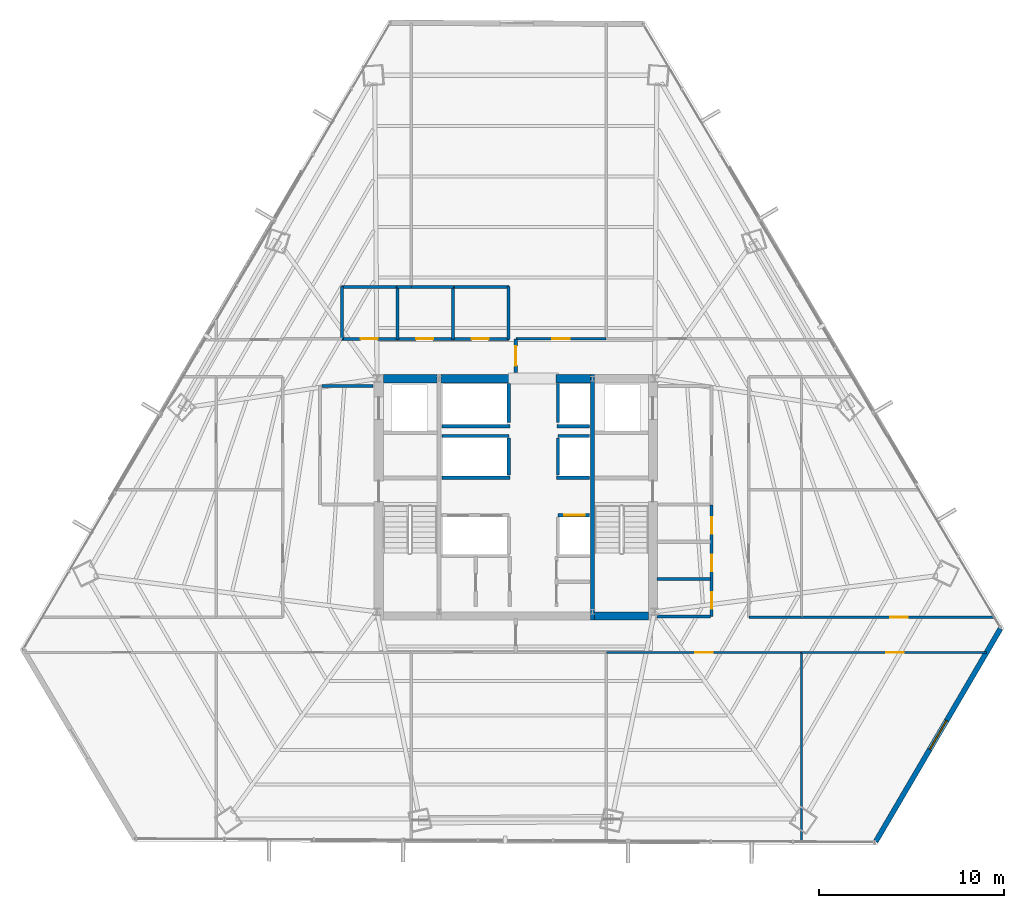
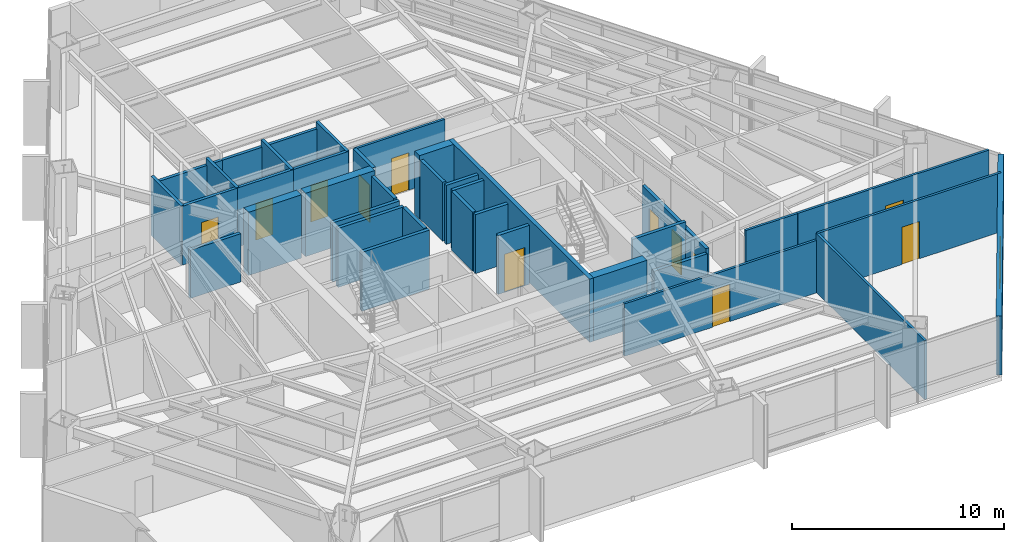
# One storey, part 31 of 35: 39 walls, 12 doors, 1 window, 13 openings.
"""IFC4 building model written with IfcOpenShell, lengths in metres."""

from ifc_helpers import new_model, si_unit, direction, frame, frame_2d, origin, place, context, subcontext, project, spatial, rectangle, extrude, material, layer, layer_set, type_object, element, fill, save


model = new_model("IFC4")

# Units and contexts
model_context = context("Model", 3, precision=1e-05, world=origin(), true_north=direction((0.0, 1.0)))
body_context = subcontext(model_context, "Body", "Model", "MODEL_VIEW")
ifc_project = project(units=[si_unit("LENGTHUNIT", "METRE"), si_unit("AREAUNIT", "SQUARE_METRE"), si_unit("VOLUMEUNIT", "CUBIC_METRE"), si_unit("PLANEANGLEUNIT", "RADIAN"), si_unit("MASSUNIT", "GRAM", prefix="KILO")], contexts=[model_context])

# Site, building, storey
site_placement = place(None, origin())
site = spatial("IfcSite", under=ifc_project, at=site_placement, CompositionType="ELEMENT")
building_placement = place(site_placement, origin())
building = spatial("IfcBuilding", under=site, at=building_placement, Name="Caelisora Broadcast Tower", CompositionType="ELEMENT")
storey_placement = place(building_placement, frame((0.0, 0.0, 94.449951171875)))
storey = spatial("IfcBuildingStorey", under=building, at=storey_placement, Name="L24", CompositionType="ELEMENT", Elevation=94.449951171875)

# Walls
ifc_material_1 = material(Name="Concrete 50 MPa (AS 3600 S50)", Category="concrete")
ifc_layer_1 = layer(ifc_material_1, 0.449951171875, Name="Concrete 50 MPa (AS 3600 S50)")
ifc_layer_set_1 = layer_set([ifc_layer_1], Name="Concrete 50 MPa (AS 3600 S50)")
wall_type_1 = type_object("IfcWallType", Name="CW5", PredefinedType="SHEAR", material=ifc_layer_set_1)
for number, where, z_axis, x_axis, name in (
    (1, (42.260009765625, 17.175048828125, 0.0), (0.0, 0.0, 1.0), (1.0, 0.0, 0.0), "L24 core shear wall CW5"),
    (2, (30.840087890625, 30.0, 0.0), (0.0, 0.0, 1.0), (1.0, 0.0, 0.0), "L24 core shear wall CW5"),
):
    element("IfcWall", number, at=place(storey_placement, frame(where, z_axis=z_axis, x_axis=x_axis)), inside=storey, type_object=wall_type_1, Name=name, PredefinedType="SHEAR", context=body_context, shape_type="SweptSolid", body=[
        extrude(rectangle(XDim=2.89990234375, YDim=0.449951171875, at=frame_2d((1.449951171875, 0.0))), origin(), (0.0, 0.0, 1.0), 3.650146484375),
    ])
wall_1_placement = place(storey_placement, frame((33.9599609375, 30.0, 0.0), z_axis=(0.0, 0.0, 1.0), x_axis=(1.0, 0.0, 0.0)))
element("IfcWall", 3, at=wall_1_placement, inside=storey, type_object=wall_type_1, Name="L24 core shear wall CW5", PredefinedType="SHEAR", context=body_context, shape_type="SweptSolid", body=[
    extrude(rectangle(XDim=3.780029296875, YDim=0.449951171875, at=frame_2d((1.89013671875, 0.0))), origin(), (0.0, 0.0, 1.0), 3.650146484375),
])
wall_2_placement = place(storey_placement, frame((40.159912109375, 30.0, 0.0), z_axis=(0.0, 0.0, 1.0), x_axis=(1.0, 0.0, 0.0)))
element("IfcWall", 4, at=wall_2_placement, inside=storey, type_object=wall_type_1, Name="L24 core shear wall CW5", PredefinedType="SHEAR", context=body_context, shape_type="SweptSolid", body=[
    extrude(rectangle(XDim=1.880126953125, YDim=0.449951171875, at=frame_2d((0.93994140625, 0.0))), origin(), (0.0, 0.0, 1.0), 3.650146484375),
])
ifc_layer_2 = layer(ifc_material_1, 0.219970703125, Name="Concrete 50 MPa (AS 3600 S50)")
ifc_layer_set_2 = layer_set([ifc_layer_2], Name="Concrete 50 MPa (AS 3600 S50)")
wall_type_2 = type_object("IfcWallType", Name="CW7", PredefinedType="SHEAR", material=ifc_layer_set_2)
wall_3_placement = place(storey_placement, frame((42.14990234375, 16.949951171875, 0.0), z_axis=(0.0, 0.0, 1.0), x_axis=(0.0, 1.0, 0.0)))
element("IfcWall", 5, at=wall_3_placement, inside=storey, type_object=wall_type_2, Name="L24 core shear wall CW7", PredefinedType="SHEAR", context=body_context, shape_type="SweptSolid", body=[
    extrude(rectangle(XDim=13.275146484375, YDim=0.219970703125, at=frame_2d((6.6376953125, 0.0))), origin(), (0.0, 0.0, 1.0), 3.650146484375),
])

# Wall, opening, window
ifc_material_2 = material(Name="Insulated Terracotta Spandrel Wall System", Category="masonry")
ifc_layer_3 = layer(ifc_material_2, 0.280029296875, Name="Insulated Terracotta Spandrel Wall System")
ifc_layer_set_3 = layer_set([ifc_layer_3], Name="Insulated Terracotta Spandrel Wall System")
wall_type_3 = type_object("IfcWallType", Name="EW1", PredefinedType="STANDARD", material=ifc_layer_set_3)
wall_4_placement = place(storey_placement, frame((64.19580078125, 16.494140625, 0.0), z_axis=(0.0, 0.0, 1.0), x_axis=(-0.505437750935, -0.862863071367, 0.0)))
wall_4 = element("IfcWall", 6, at=wall_4_placement, inside=storey, type_object=wall_type_3, Name="L24 exterior envelope wall EW1", PredefinedType="STANDARD", context=body_context, shape_type="SweptSolid", body=[
    extrude(rectangle(XDim=13.34423828125, YDim=0.280029296875, at=frame_2d((6.672119140625, 0.0))), origin(), (0.0, 0.0, 1.0), 3.400146484375),
])
opening_1_placement = place(wall_4_placement, frame((5.77001953125, 0.0, 0.89990234375)))
opening_1 = element("IfcOpeningElement", 7, at=opening_1_placement, cuts=wall_4, Name="Opening W01", PredefinedType="OPENING", context=body_context, shape_type="SweptSolid", body=[
    extrude(rectangle(XDim=1.800048828125, YDim=1.800048828125, at=frame_2d((0.89990234375, 0.89990234375))), frame((0.0, 0.152099609375, 0.0), z_axis=(0.0, -1.0, 0.0), x_axis=(1.0, 0.0, 0.0)), (0.0, 0.0, 1.0), 0.303955078125),
])
ifc_material_3 = material(Name="Double Glazed Terracotta-Framed Vision Window", Category="glass")
window_type = type_object("IfcWindowType", Name="W01", PartitioningType="SINGLE_PANEL", PredefinedType="WINDOW", material=ifc_material_3)
window_placement = place(opening_1_placement, origin())
window = element("IfcWindow", 8, at=window_placement, inside=storey, type_object=window_type, Name="L24 window W01 (L24-WN-CH0)", OverallHeight=1.800048828125, OverallWidth=1.800048828125, PartitioningType="SINGLE_PANEL", PredefinedType="WINDOW", context=body_context, shape_type="SweptSolid", body=[
    extrude(rectangle(XDim=1.800048828125, YDim=1.800048828125, at=frame_2d((0.89990234375, 0.89990234375))), frame((0.0, 0.030029296875, 0.0), z_axis=(0.0, -1.0, 0.0), x_axis=(1.0, 0.0, 0.0)), (0.0, 0.0, 1.0), 0.06005859375),
])
fill(opening_1, window)

# Wall, opening, door
ifc_material_4 = material(Name="Fire-Rated Gypsum Shaft and Compartment Wall", Category="gypsum")
ifc_layer_4 = layer(ifc_material_4, 0.179931640625, Name="Fire-Rated Gypsum Shaft and Compartment Wall")
ifc_layer_set_4 = layer_set([ifc_layer_4], Name="Fire-Rated Gypsum Shaft and Compartment Wall")
wall_type_4 = type_object("IfcWallType", Name="PW2", PredefinedType="PARTITIONING", material=ifc_layer_set_4)
wall_5_placement = place(storey_placement, frame((40.280029296875, 22.6201171875, 0.0), z_axis=(0.0, 0.0, 1.0), x_axis=(1.0, 0.0, 0.0)))
wall_5 = element("IfcWall", 9, at=wall_5_placement, inside=storey, type_object=wall_type_4, Name="L24 fire compartment wall PW2", PredefinedType="PARTITIONING", context=body_context, shape_type="SweptSolid", body=[
    extrude(rectangle(XDim=1.699951171875, YDim=0.179931640625, at=frame_2d((0.85009765625, 0.0))), origin(), (0.0, 0.0, 1.0), 3.400146484375),
])
opening_2_placement = place(wall_5_placement, frame((0.35009765625, 0.0, 0.0)))
opening_2 = element("IfcOpeningElement", 10, at=opening_2_placement, cuts=wall_5, Name="Opening LD01", PredefinedType="OPENING", context=body_context, shape_type="SweptSolid", body=[
    extrude(rectangle(XDim=1.10009765625, YDim=2.199951171875, at=frame_2d((0.550048828125, 1.10009765625))), frame((0.0, 0.10205078125, 0.0), z_axis=(0.0, -1.0, 0.0), x_axis=(1.0, 0.0, 0.0)), (0.0, 0.0, 1.0), 0.203857421875),
])
ifc_material_5 = material(Name="Stainless Steel Centre-Parting Lift Landing Door", Category="steel")
door_type_1 = type_object("IfcDoorType", Name="LD01", OperationType="NOTDEFINED", PredefinedType="DOOR", material=ifc_material_5)
door_1_placement = place(opening_2_placement, origin())
door_1 = element("IfcDoor", 11, at=door_1_placement, inside=storey, type_object=door_type_1, Name="L24 door LD01 (L24-LD-PLL3)", OperationType="SLIDING_TO_LEFT", OverallHeight=2.199951171875, OverallWidth=1.10009765625, PredefinedType="DOOR", context=body_context, shape_type="SweptSolid", body=[
    extrude(rectangle(XDim=1.10009765625, YDim=2.199951171875, at=frame_2d((0.550048828125, 1.10009765625))), frame((0.0, 0.02490234375, 0.0), z_axis=(0.0, -1.0, 0.0), x_axis=(1.0, 0.0, 0.0)), (0.0, 0.0, 1.0), 0.050048828125),
])
fill(opening_2, door_1)

# Walls
wall_6_placement = place(storey_placement, frame((34.02001953125, 26.89990234375, 0.0), z_axis=(0.0, 0.0, 1.0), x_axis=(1.0, 0.0, 0.0)))
element("IfcWall", 12, at=wall_6_placement, inside=storey, type_object=wall_type_4, Name="L24 fire compartment wall PW2", PredefinedType="PARTITIONING", context=body_context, shape_type="SweptSolid", body=[
    extrude(rectangle(XDim=3.60009765625, YDim=0.179931640625, at=frame_2d((1.800048828125, 0.0))), origin(), (0.0, 0.0, 1.0), 3.400146484375),
])
wall_7_placement = place(storey_placement, frame((40.280029296875, 26.89990234375, 0.0), z_axis=(0.0, 0.0, 1.0), x_axis=(1.0, 0.0, 0.0)))
element("IfcWall", 13, at=wall_7_placement, inside=storey, type_object=wall_type_4, Name="L24 fire compartment wall PW2", PredefinedType="PARTITIONING", context=body_context, shape_type="SweptSolid", body=[
    extrude(rectangle(XDim=1.699951171875, YDim=0.179931640625, at=frame_2d((0.85009765625, 0.0))), origin(), (0.0, 0.0, 1.0), 3.400146484375),
])
for number, where, z_axis, x_axis, name in (
    (14, (37.6201171875, 24.800048828125, 0.0), (0.0, 0.0, 1.0), (0.0, 1.0, 0.0), "L24 fire compartment wall PW2"),
    (15, (40.280029296875, 24.800048828125, 0.0), (0.0, 0.0, 1.0), (0.0, 1.0, 0.0), "L24 fire compartment wall PW2"),
):
    element("IfcWall", number, at=place(storey_placement, frame(where, z_axis=z_axis, x_axis=x_axis)), inside=storey, type_object=wall_type_4, Name=name, PredefinedType="PARTITIONING", context=body_context, shape_type="SweptSolid", body=[
        extrude(rectangle(XDim=2.0, YDim=0.179931640625, at=frame_2d((1.0, 0.0))), origin(), (0.0, 0.0, 1.0), 3.400146484375),
    ])
wall_8_placement = place(storey_placement, frame((34.02001953125, 24.639892578125, 0.0), z_axis=(0.0, 0.0, 1.0), x_axis=(1.0, 0.0, 0.0)))
element("IfcWall", 16, at=wall_8_placement, inside=storey, type_object=wall_type_4, Name="L24 fire compartment wall PW2", PredefinedType="PARTITIONING", context=body_context, shape_type="SweptSolid", body=[
    extrude(rectangle(XDim=3.679931640625, YDim=0.179931640625, at=frame_2d((1.83984375, 0.0))), origin(), (0.0, 0.0, 1.0), 3.400146484375),
])
wall_9_placement = place(storey_placement, frame((40.199951171875, 24.639892578125, 0.0), z_axis=(0.0, 0.0, 1.0), x_axis=(1.0, 0.0, 0.0)))
element("IfcWall", 17, at=wall_9_placement, inside=storey, type_object=wall_type_4, Name="L24 fire compartment wall PW2", PredefinedType="PARTITIONING", context=body_context, shape_type="SweptSolid", body=[
    extrude(rectangle(XDim=1.780029296875, YDim=0.179931640625, at=frame_2d((0.89013671875, 0.0))), origin(), (0.0, 0.0, 1.0), 3.400146484375),
])
wall_10_placement = place(storey_placement, frame((34.02001953125, 27.419921875, 0.0), z_axis=(0.0, 0.0, 1.0), x_axis=(1.0, 0.0, 0.0)))
element("IfcWall", 18, at=wall_10_placement, inside=storey, type_object=wall_type_4, Name="L24 fire compartment wall PW2", PredefinedType="PARTITIONING", context=body_context, shape_type="SweptSolid", body=[
    extrude(rectangle(XDim=3.659912109375, YDim=0.179931640625, at=frame_2d((1.830078125, 0.0))), origin(), (0.0, 0.0, 1.0), 3.400146484375),
])
wall_11_placement = place(storey_placement, frame((40.219970703125, 27.419921875, 0.0), z_axis=(0.0, 0.0, 1.0), x_axis=(1.0, 0.0, 0.0)))
element("IfcWall", 19, at=wall_11_placement, inside=storey, type_object=wall_type_4, Name="L24 fire compartment wall PW2", PredefinedType="PARTITIONING", context=body_context, shape_type="SweptSolid", body=[
    extrude(rectangle(XDim=1.760009765625, YDim=0.179931640625, at=frame_2d((0.8798828125, 0.0))), origin(), (0.0, 0.0, 1.0), 3.400146484375),
])
for number, where, z_axis, x_axis, name in (
    (20, (37.6201171875, 27.639892578125, 0.0), (0.0, 0.0, 1.0), (0.0, 1.0, 0.0), "L24 fire compartment wall PW2"),
    (21, (40.280029296875, 27.639892578125, 0.0), (0.0, 0.0, 1.0), (0.0, 1.0, 0.0), "L24 fire compartment wall PW2"),
):
    element("IfcWall", number, at=place(storey_placement, frame(where, z_axis=z_axis, x_axis=x_axis)), inside=storey, type_object=wall_type_4, Name=name, PredefinedType="PARTITIONING", context=body_context, shape_type="SweptSolid", body=[
        extrude(rectangle(XDim=2.110107421875, YDim=0.179931640625, at=frame_2d((1.05517578125, 0.0))), origin(), (0.0, 0.0, 1.0), 3.400146484375),
    ])
wall_12_placement = place(storey_placement, frame((27.52001953125, 29.60009765625, 0.0), z_axis=(0.0, 0.0, 1.0), x_axis=(1.0, 0.0, 0.0)))
element("IfcWall", 22, at=wall_12_placement, inside=storey, type_object=wall_type_4, Name="L24 fire compartment wall PW2", PredefinedType="PARTITIONING", context=body_context, shape_type="SweptSolid", body=[
    extrude(rectangle(XDim=2.760009765625, YDim=0.179931640625, at=frame_2d((1.3798828125, 0.0))), origin(), (0.0, 0.0, 1.0), 2.782958984375),
])
wall_13_placement = place(storey_placement, frame((45.6201171875, 19.169921875, 0.0), z_axis=(0.0, 0.0, 1.0), x_axis=(1.0, 0.0, 0.0)))
element("IfcWall", 23, at=wall_13_placement, inside=storey, type_object=wall_type_4, Name="L24 fire compartment wall PW2", PredefinedType="PARTITIONING", context=body_context, shape_type="SweptSolid", body=[
    extrude(rectangle(XDim=2.89990234375, YDim=0.179931640625, at=frame_2d((1.449951171875, 0.0))), origin(), (0.0, 0.0, 1.0), 3.400146484375),
])

# Wall, openings, doors
wall_14_placement = place(storey_placement, frame((48.580078125, 17.14990234375, 0.0), z_axis=(0.0, 0.0, 1.0), x_axis=(0.0, 1.0, 0.0)))
wall_14 = element("IfcWall", 24, at=wall_14_placement, inside=storey, type_object=wall_type_4, Name="L24 fire compartment wall PW2", PredefinedType="PARTITIONING", context=body_context, shape_type="SweptSolid", body=[
    extrude(rectangle(XDim=6.030029296875, YDim=0.179931640625, at=frame_2d((3.01513671875, 0.0))), origin(), (0.0, 0.0, 1.0), 3.0263671875),
])
opening_3_placement = place(wall_14_placement, frame((0.419921875, 0.0, 0.0)))
opening_3 = element("IfcOpeningElement", 25, at=opening_3_placement, cuts=wall_14, Name="Opening FD03", PredefinedType="OPENING", context=body_context, shape_type="SweptSolid", body=[
    extrude(rectangle(XDim=0.89990234375, YDim=2.10009765625, at=frame_2d((0.449951171875, 1.050048828125))), frame((0.0, 0.10205078125, 0.0), z_axis=(0.0, -1.0, 0.0), x_axis=(1.0, 0.0, 0.0)), (0.0, 0.0, 1.0), 0.203857421875),
])
opening_4_placement = place(wall_14_placement, frame((2.43994140625, 0.0, 0.0)))
opening_4 = element("IfcOpeningElement", 26, at=opening_4_placement, cuts=wall_14, Name="Opening FD03", PredefinedType="OPENING", context=body_context, shape_type="SweptSolid", body=[
    extrude(rectangle(XDim=0.89990234375, YDim=2.10009765625, at=frame_2d((0.449951171875, 1.050048828125))), frame((0.0, 0.10205078125, 0.0), z_axis=(0.0, -1.0, 0.0), x_axis=(1.0, 0.0, 0.0)), (0.0, 0.0, 1.0), 0.203857421875),
])
opening_5_placement = place(wall_14_placement, frame((4.4599609375, 0.0, 0.0)))
opening_5 = element("IfcOpeningElement", 27, at=opening_5_placement, cuts=wall_14, Name="Opening FD03", PredefinedType="OPENING", context=body_context, shape_type="SweptSolid", body=[
    extrude(rectangle(XDim=0.89990234375, YDim=2.10009765625, at=frame_2d((0.449951171875, 1.050048828125))), frame((0.0, 0.10205078125, 0.0), z_axis=(0.0, -1.0, 0.0), x_axis=(1.0, 0.0, 0.0)), (0.0, 0.0, 1.0), 0.203857421875),
])
ifc_material_6 = material(Name="Single-Leaf Steel Riser Fire Access Door", Category="steel")
door_type_2 = type_object("IfcDoorType", Name="FD03", OperationType="NOTDEFINED", PredefinedType="DOOR", material=ifc_material_6)
door_2_placement = place(opening_3_placement, origin())
door_2 = element("IfcDoor", 28, at=door_2_placement, inside=storey, type_object=door_type_2, Name="L24 door FD03 (L24-DR-P17D1)", OperationType="SINGLE_SWING_RIGHT", OverallHeight=2.10009765625, OverallWidth=0.89990234375, PredefinedType="DOOR", context=body_context, shape_type="SweptSolid", body=[
    extrude(rectangle(XDim=0.89990234375, YDim=2.10009765625, at=frame_2d((0.449951171875, 1.050048828125))), frame((0.0, 0.02490234375, 0.0), z_axis=(0.0, -1.0, 0.0), x_axis=(1.0, 0.0, 0.0)), (0.0, 0.0, 1.0), 0.050048828125),
])
fill(opening_3, door_2)
door_3_placement = place(opening_4_placement, origin())
door_3 = element("IfcDoor", 29, at=door_3_placement, inside=storey, type_object=door_type_2, Name="L24 door FD03 (L24-DR-P17D2)", OperationType="SINGLE_SWING_LEFT", OverallHeight=2.10009765625, OverallWidth=0.89990234375, PredefinedType="DOOR", context=body_context, shape_type="SweptSolid", body=[
    extrude(rectangle(XDim=0.89990234375, YDim=2.10009765625, at=frame_2d((0.449951171875, 1.050048828125))), frame((0.0, 0.02490234375, 0.0), z_axis=(0.0, -1.0, 0.0), x_axis=(1.0, 0.0, 0.0)), (0.0, 0.0, 1.0), 0.050048828125),
])
fill(opening_4, door_3)
door_4_placement = place(opening_5_placement, origin())
door_4 = element("IfcDoor", 30, at=door_4_placement, inside=storey, type_object=door_type_2, Name="L24 door FD03 (L24-DR-P17D3)", OperationType="SINGLE_SWING_RIGHT", OverallHeight=2.10009765625, OverallWidth=0.89990234375, PredefinedType="DOOR", context=body_context, shape_type="SweptSolid", body=[
    extrude(rectangle(XDim=0.89990234375, YDim=2.10009765625, at=frame_2d((0.449951171875, 1.050048828125))), frame((0.0, 0.02490234375, 0.0), z_axis=(0.0, -1.0, 0.0), x_axis=(1.0, 0.0, 0.0)), (0.0, 0.0, 1.0), 0.050048828125),
])
fill(opening_5, door_4)

# Wall
wall_15_placement = place(storey_placement, frame((45.6201171875, 17.14990234375, 0.0), z_axis=(0.0, 0.0, 1.0), x_axis=(1.0, 0.0, 0.0)))
element("IfcWall", 31, at=wall_15_placement, inside=storey, type_object=wall_type_4, Name="L24 fire compartment wall PW2", PredefinedType="PARTITIONING", context=body_context, shape_type="SweptSolid", body=[
    extrude(rectangle(XDim=2.89990234375, YDim=0.179931640625, at=frame_2d((1.449951171875, 0.0))), origin(), (0.0, 0.0, 1.0), 2.782958984375),
])

# Wall, opening, door
wall_16_placement = place(storey_placement, frame((38.0, 30.320068359375, 0.0), z_axis=(0.0, 0.0, 1.0), x_axis=(0.0, 1.0, 0.0)))
wall_16 = element("IfcWall", 32, at=wall_16_placement, inside=storey, type_object=wall_type_4, Name="L24 fire compartment wall PW2", PredefinedType="PARTITIONING", context=body_context, shape_type="SweptSolid", body=[
    extrude(rectangle(XDim=1.824951171875, YDim=0.179931640625, at=frame_2d((0.91259765625, 0.0))), origin(), (0.0, 0.0, 1.0), 3.400146484375),
])
opening_6_placement = place(wall_16_placement, frame((0.387939453125, 0.0, 0.0)))
opening_6 = element("IfcOpeningElement", 33, at=opening_6_placement, cuts=wall_16, Name="Opening FD02", PredefinedType="OPENING", context=body_context, shape_type="SweptSolid", body=[
    extrude(rectangle(XDim=1.050048828125, YDim=2.14990234375, at=frame_2d((0.52490234375, 1.074951171875))), frame((0.0, 0.10205078125, 0.0), z_axis=(0.0, -1.0, 0.0), x_axis=(1.0, 0.0, 0.0)), (0.0, 0.0, 1.0), 0.203857421875),
])
ifc_material_7 = material(Name="Single-Leaf Steel Fire Lobby Door", Category="steel")
door_type_3 = type_object("IfcDoorType", Name="FD02", OperationType="NOTDEFINED", PredefinedType="DOOR", material=ifc_material_7)
door_5_placement = place(opening_6_placement, origin())
door_5 = element("IfcDoor", 34, at=door_5_placement, inside=storey, type_object=door_type_3, Name="L24 door FD02 (L24-DR-P68D1)", OperationType="SINGLE_SWING_LEFT", OverallHeight=2.14990234375, OverallWidth=1.050048828125, PredefinedType="DOOR", context=body_context, shape_type="SweptSolid", body=[
    extrude(rectangle(XDim=1.050048828125, YDim=2.14990234375, at=frame_2d((0.52490234375, 1.074951171875))), frame((0.0, 0.02490234375, 0.0), z_axis=(0.0, -1.0, 0.0), x_axis=(1.0, 0.0, 0.0)), (0.0, 0.0, 1.0), 0.050048828125),
])
fill(opening_6, door_5)

ifc_material_8 = material(Name="Acoustic Steel-Stud Plasterboard Partition", Category="gypsum")
ifc_layer_5 = layer(ifc_material_8, 0.1298828125, Name="Acoustic Steel-Stud Plasterboard Partition")
ifc_layer_set_5 = layer_set([ifc_layer_5], Name="Acoustic Steel-Stud Plasterboard Partition")
wall_type_5 = type_object("IfcWallType", Name="PW3", PredefinedType="PARTITIONING", material=ifc_layer_set_5)
wall_17_placement = place(storey_placement, frame((42.89501953125, 15.199951171875, 0.0), z_axis=(0.0, 0.0, 1.0), x_axis=(1.0, 0.0, 0.0)))
wall_17 = element("IfcWall", 35, at=wall_17_placement, inside=storey, type_object=wall_type_5, Name="L24 internal partition PW3", PredefinedType="PARTITIONING", context=body_context, shape_type="SweptSolid", body=[
    extrude(rectangle(XDim=10.5400390625, YDim=0.1298828125, at=frame_2d((5.27001953125, 0.0))), origin(), (0.0, 0.0, 1.0), 3.0263671875),
])
opening_7_placement = place(wall_17_placement, frame((4.7900390625, 0.0, 0.0)))
opening_7 = element("IfcOpeningElement", 36, at=opening_7_placement, cuts=wall_17, Name="Opening D01", PredefinedType="OPENING", context=body_context, shape_type="SweptSolid", body=[
    extrude(rectangle(XDim=0.9599609375, YDim=2.14990234375, at=frame_2d((0.47998046875, 1.074951171875))), frame((0.0, 0.076904296875, 0.0), z_axis=(0.0, -1.0, 0.0), x_axis=(1.0, 0.0, 0.0)), (0.0, 0.0, 1.0), 0.15380859375),
])
ifc_material_9 = material(Name="Solid-Core Timber Acoustic Office Door", Category="wood")
door_type_4 = type_object("IfcDoorType", Name="D01", OperationType="NOTDEFINED", PredefinedType="DOOR", material=ifc_material_9)
door_6_placement = place(opening_7_placement, origin())
door_6 = element("IfcDoor", 37, at=door_6_placement, inside=storey, type_object=door_type_4, Name="L24 door D01 (L24-DR-P32D1)", OperationType="SINGLE_SWING_RIGHT", OverallHeight=2.14990234375, OverallWidth=0.9599609375, PredefinedType="DOOR", context=body_context, shape_type="SweptSolid", body=[
    extrude(rectangle(XDim=0.9599609375, YDim=2.14990234375, at=frame_2d((0.47998046875, 1.074951171875))), frame((0.0, 0.02490234375, 0.0), z_axis=(0.0, -1.0, 0.0), x_axis=(1.0, 0.0, 0.0)), (0.0, 0.0, 1.0), 0.050048828125),
])
fill(opening_7, door_6)

wall_18_placement = place(storey_placement, frame((53.445068359375, 17.10009765625, 0.0), z_axis=(0.0, 0.0, 1.0), x_axis=(1.0, 0.0, 0.0)))
wall_18 = element("IfcWall", 38, at=wall_18_placement, inside=storey, type_object=wall_type_5, Name="L24 internal partition PW3", PredefinedType="PARTITIONING", context=body_context, shape_type="SweptSolid", body=[
    extrude(rectangle(XDim=10.42822265625, YDim=0.1298828125, at=frame_2d((5.214111328125, 0.0))), origin(), (0.0, 0.0, 1.0), 3.400146484375),
])
opening_8_placement = place(wall_18_placement, frame((4.787109375, 0.0, 0.0)))
opening_8 = element("IfcOpeningElement", 39, at=opening_8_placement, cuts=wall_18, Name="Opening D01", PredefinedType="OPENING", context=body_context, shape_type="SweptSolid", body=[
    extrude(rectangle(XDim=0.9599609375, YDim=2.14990234375, at=frame_2d((0.47998046875, 1.074951171875))), frame((0.0, 0.076904296875, 0.0), z_axis=(0.0, -1.0, 0.0), x_axis=(1.0, 0.0, 0.0)), (0.0, 0.0, 1.0), 0.15380859375),
])
door_7_placement = place(opening_8_placement, origin())
door_7 = element("IfcDoor", 40, at=door_7_placement, inside=storey, type_object=door_type_4, Name="L24 door D01 (L24-DR-P34D1)", OperationType="SINGLE_SWING_RIGHT", OverallHeight=2.14990234375, OverallWidth=0.9599609375, PredefinedType="DOOR", context=body_context, shape_type="SweptSolid", body=[
    extrude(rectangle(XDim=0.9599609375, YDim=2.14990234375, at=frame_2d((0.47998046875, 1.074951171875))), frame((0.0, 0.02490234375, 0.0), z_axis=(0.0, -1.0, 0.0), x_axis=(1.0, 0.0, 0.0)), (0.0, 0.0, 1.0), 0.050048828125),
])
fill(opening_8, door_7)

# Wall
wall_19_placement = place(storey_placement, frame((53.43994140625, 4.967529296875, 0.0), z_axis=(0.0, 0.0, 1.0), x_axis=(0.0, 1.0, 0.0)))
element("IfcWall", 41, at=wall_19_placement, inside=storey, type_object=wall_type_5, Name="L24 internal partition PW3", PredefinedType="PARTITIONING", context=body_context, shape_type="SweptSolid", body=[
    extrude(rectangle(XDim=10.2275390625, YDim=0.1298828125, at=frame_2d((5.11376953125, 0.0))), origin(), (0.0, 0.0, 1.0), 3.400146484375),
])

# Wall, opening, door
wall_20_placement = place(storey_placement, frame((53.445068359375, 15.199951171875, 0.0), z_axis=(0.0, 0.0, 1.0), x_axis=(1.0, 0.0, 0.0)))
wall_20 = element("IfcWall", 42, at=wall_20_placement, inside=storey, type_object=wall_type_5, Name="L24 internal partition PW3", PredefinedType="PARTITIONING", context=body_context, shape_type="SweptSolid", body=[
    extrude(rectangle(XDim=9.99853515625, YDim=0.1298828125, at=frame_2d((4.999267578125, 0.0))), origin(), (0.0, 0.0, 1.0), 3.400146484375),
])
opening_9_placement = place(wall_20_placement, frame((4.572021484375, 0.0, 0.0)))
opening_9 = element("IfcOpeningElement", 43, at=opening_9_placement, cuts=wall_20, Name="Opening D01", PredefinedType="OPENING", context=body_context, shape_type="SweptSolid", body=[
    extrude(rectangle(XDim=0.9599609375, YDim=2.14990234375, at=frame_2d((0.47998046875, 1.074951171875))), frame((0.0, 0.076904296875, 0.0), z_axis=(0.0, -1.0, 0.0), x_axis=(1.0, 0.0, 0.0)), (0.0, 0.0, 1.0), 0.15380859375),
])
door_8_placement = place(opening_9_placement, origin())
door_8 = element("IfcDoor", 44, at=door_8_placement, inside=storey, type_object=door_type_4, Name="L24 door D01 (L24-DR-P40D1)", OperationType="SINGLE_SWING_RIGHT", OverallHeight=2.14990234375, OverallWidth=0.9599609375, PredefinedType="DOOR", context=body_context, shape_type="SweptSolid", body=[
    extrude(rectangle(XDim=0.9599609375, YDim=2.14990234375, at=frame_2d((0.47998046875, 1.074951171875))), frame((0.0, 0.02490234375, 0.0), z_axis=(0.0, -1.0, 0.0), x_axis=(1.0, 0.0, 0.0)), (0.0, 0.0, 1.0), 0.050048828125),
])
fill(opening_9, door_8)

wall_21_placement = place(storey_placement, frame((38.0048828125, 32.14990234375, 0.0), z_axis=(0.0, 0.0, 1.0), x_axis=(1.0, 0.0, 0.0)))
wall_21 = element("IfcWall", 45, at=wall_21_placement, inside=storey, type_object=wall_type_5, Name="L24 internal partition PW3", PredefinedType="PARTITIONING", context=body_context, shape_type="SweptSolid", body=[
    extrude(rectangle(XDim=4.880126953125, YDim=0.1298828125, at=frame_2d((2.43994140625, 0.0))), origin(), (0.0, 0.0, 1.0), 3.400146484375),
])
opening_10_placement = place(wall_21_placement, frame((1.9599609375, 0.0, 0.0)))
opening_10 = element("IfcOpeningElement", 46, at=opening_10_placement, cuts=wall_21, Name="Opening D01", PredefinedType="OPENING", context=body_context, shape_type="SweptSolid", body=[
    extrude(rectangle(XDim=0.9599609375, YDim=2.14990234375, at=frame_2d((0.47998046875, 1.074951171875))), frame((0.0, 0.076904296875, 0.0), z_axis=(0.0, -1.0, 0.0), x_axis=(1.0, 0.0, 0.0)), (0.0, 0.0, 1.0), 0.15380859375),
])
door_9_placement = place(opening_10_placement, origin())
door_9 = element("IfcDoor", 47, at=door_9_placement, inside=storey, type_object=door_type_4, Name="L24 door D01 (L24-DR-P54D1)", OperationType="SINGLE_SWING_RIGHT", OverallHeight=2.14990234375, OverallWidth=0.9599609375, PredefinedType="DOOR", context=body_context, shape_type="SweptSolid", body=[
    extrude(rectangle(XDim=0.9599609375, YDim=2.14990234375, at=frame_2d((0.47998046875, 1.074951171875))), frame((0.0, 0.02490234375, 0.0), z_axis=(0.0, -1.0, 0.0), x_axis=(1.0, 0.0, 0.0)), (0.0, 0.0, 1.0), 0.050048828125),
])
fill(opening_10, door_9)

# Wall
wall_22_placement = place(storey_placement, frame((53.43505859375, 17.10009765625, 0.0), z_axis=(0.0, 0.0, 1.0), x_axis=(-1.0, 0.0, 0.0)))
element("IfcWall", 48, at=wall_22_placement, inside=storey, type_object=wall_type_5, Name="L24 internal partition PW3", PredefinedType="PARTITIONING", context=body_context, shape_type="SweptSolid", body=[
    extrude(rectangle(XDim=2.830078125, YDim=0.1298828125, at=frame_2d((1.4150390625, 0.0))), origin(), (0.0, 0.0, 1.0), 3.400146484375),
])

# Wall, opening, door
ifc_material_10 = material(Name="Moisture-Resistant Wet Plumbing Service Wall", Category="gypsum")
ifc_layer_6 = layer(ifc_material_10, 0.159912109375, Name="Moisture-Resistant Wet Plumbing Service Wall")
ifc_layer_set_6 = layer_set([ifc_layer_6], Name="Moisture-Resistant Wet Plumbing Service Wall")
wall_type_6 = type_object("IfcWallType", Name="PW4", PredefinedType="PLUMBINGWALL", material=ifc_layer_set_6)
wall_23_placement = place(storey_placement, frame((28.574951171875, 32.14990234375, 0.0), z_axis=(0.0, 0.0, 1.0), x_axis=(1.0, 0.0, 0.0)))
wall_23 = element("IfcWall", 49, at=wall_23_placement, inside=storey, type_object=wall_type_6, Name="L24 wet plumbing wall PW4", PredefinedType="PLUMBINGWALL", context=body_context, shape_type="SweptSolid", body=[
    extrude(rectangle(XDim=3.050048828125, YDim=0.159912109375, at=frame_2d((1.52490234375, 0.0))), origin(), (0.0, 0.0, 1.0), 3.400146484375),
])
opening_11_placement = place(wall_23_placement, frame((1.034912109375, 0.0, 0.0)))
opening_11 = element("IfcOpeningElement", 50, at=opening_11_placement, cuts=wall_23, Name="Opening D03", PredefinedType="OPENING", context=body_context, shape_type="SweptSolid", body=[
    extrude(rectangle(XDim=0.919921875, YDim=2.10009765625, at=frame_2d((0.4599609375, 1.050048828125))), frame((0.0, 0.092041015625, 0.0), z_axis=(0.0, -1.0, 0.0), x_axis=(1.0, 0.0, 0.0)), (0.0, 0.0, 1.0), 0.183837890625),
])
ifc_material_11 = material(Name="Laminate Moisture-Resistant Amenity WC Door", Category="wood")
door_type_5 = type_object("IfcDoorType", Name="D03", OperationType="NOTDEFINED", PredefinedType="DOOR", material=ifc_material_11)
door_10_placement = place(opening_11_placement, origin())
door_10 = element("IfcDoor", 51, at=door_10_placement, inside=storey, type_object=door_type_5, Name="L24 door D03 (L24-DR-P19D1)", OperationType="SINGLE_SWING_LEFT", OverallHeight=2.10009765625, OverallWidth=0.919921875, PredefinedType="DOOR", context=body_context, shape_type="SweptSolid", body=[
    extrude(rectangle(XDim=0.919921875, YDim=2.10009765625, at=frame_2d((0.4599609375, 1.050048828125))), frame((0.0, 0.02490234375, 0.0), z_axis=(0.0, -1.0, 0.0), x_axis=(1.0, 0.0, 0.0)), (0.0, 0.0, 1.0), 0.050048828125),
])
fill(opening_11, door_10)

wall_24_placement = place(storey_placement, frame((31.574951171875, 32.14990234375, 0.0), z_axis=(0.0, 0.0, 1.0), x_axis=(1.0, 0.0, 0.0)))
wall_24 = element("IfcWall", 52, at=wall_24_placement, inside=storey, type_object=wall_type_6, Name="L24 wet plumbing wall PW4", PredefinedType="PLUMBINGWALL", context=body_context, shape_type="SweptSolid", body=[
    extrude(rectangle(XDim=3.050048828125, YDim=0.159912109375, at=frame_2d((1.52490234375, 0.0))), origin(), (0.0, 0.0, 1.0), 3.400146484375),
])
opening_12_placement = place(wall_24_placement, frame((1.034912109375, 0.0, 0.0)))
opening_12 = element("IfcOpeningElement", 53, at=opening_12_placement, cuts=wall_24, Name="Opening D03", PredefinedType="OPENING", context=body_context, shape_type="SweptSolid", body=[
    extrude(rectangle(XDim=0.919921875, YDim=2.10009765625, at=frame_2d((0.4599609375, 1.050048828125))), frame((0.0, 0.092041015625, 0.0), z_axis=(0.0, -1.0, 0.0), x_axis=(1.0, 0.0, 0.0)), (0.0, 0.0, 1.0), 0.183837890625),
])
door_11_placement = place(opening_12_placement, origin())
door_11 = element("IfcDoor", 54, at=door_11_placement, inside=storey, type_object=door_type_5, Name="L24 door D03 (L24-DR-P20D1)", OperationType="SINGLE_SWING_RIGHT", OverallHeight=2.10009765625, OverallWidth=0.919921875, PredefinedType="DOOR", context=body_context, shape_type="SweptSolid", body=[
    extrude(rectangle(XDim=0.919921875, YDim=2.10009765625, at=frame_2d((0.4599609375, 1.050048828125))), frame((0.0, 0.02490234375, 0.0), z_axis=(0.0, -1.0, 0.0), x_axis=(1.0, 0.0, 0.0)), (0.0, 0.0, 1.0), 0.050048828125),
])
fill(opening_12, door_11)

wall_25_placement = place(storey_placement, frame((34.574951171875, 32.14990234375, 0.0), z_axis=(0.0, 0.0, 1.0), x_axis=(1.0, 0.0, 0.0)))
wall_25 = element("IfcWall", 55, at=wall_25_placement, inside=storey, type_object=wall_type_6, Name="L24 wet plumbing wall PW4", PredefinedType="PLUMBINGWALL", context=body_context, shape_type="SweptSolid", body=[
    extrude(rectangle(XDim=3.050048828125, YDim=0.159912109375, at=frame_2d((1.52490234375, 0.0))), origin(), (0.0, 0.0, 1.0), 3.400146484375),
])
opening_13_placement = place(wall_25_placement, frame((1.034912109375, 0.0, 0.0)))
opening_13 = element("IfcOpeningElement", 56, at=opening_13_placement, cuts=wall_25, Name="Opening D03", PredefinedType="OPENING", context=body_context, shape_type="SweptSolid", body=[
    extrude(rectangle(XDim=0.919921875, YDim=2.10009765625, at=frame_2d((0.4599609375, 1.050048828125))), frame((0.0, 0.092041015625, 0.0), z_axis=(0.0, -1.0, 0.0), x_axis=(1.0, 0.0, 0.0)), (0.0, 0.0, 1.0), 0.183837890625),
])
door_12_placement = place(opening_13_placement, origin())
door_12 = element("IfcDoor", 57, at=door_12_placement, inside=storey, type_object=door_type_5, Name="L24 door D03 (L24-DR-P21D1)", OperationType="SINGLE_SWING_LEFT", OverallHeight=2.10009765625, OverallWidth=0.919921875, PredefinedType="DOOR", context=body_context, shape_type="SweptSolid", body=[
    extrude(rectangle(XDim=0.919921875, YDim=2.10009765625, at=frame_2d((0.4599609375, 1.050048828125))), frame((0.0, 0.02490234375, 0.0), z_axis=(0.0, -1.0, 0.0), x_axis=(1.0, 0.0, 0.0)), (0.0, 0.0, 1.0), 0.050048828125),
])
fill(opening_13, door_12)

# Walls
for number, where, z_axis, x_axis, name in (
    (58, (28.574951171875, 34.949951171875, 0.0), (0.0, 0.0, 1.0), (1.0, 0.0, 0.0), "L24 wet plumbing wall PW4"),
    (59, (37.625, 34.949951171875, 0.0), (0.0, 0.0, 1.0), (-1.0, 0.0, 0.0), "L24 wet plumbing wall PW4"),
):
    element("IfcWall", number, at=place(storey_placement, frame(where, z_axis=z_axis, x_axis=x_axis)), inside=storey, type_object=wall_type_6, Name=name, PredefinedType="PLUMBINGWALL", context=body_context, shape_type="SweptSolid", body=[
        extrude(rectangle(XDim=3.050048828125, YDim=0.159912109375, at=frame_2d((1.52490234375, 0.0))), origin(), (0.0, 0.0, 1.0), 3.0263671875),
    ])
for number, where, z_axis, x_axis, name in (
    (60, (31.60009765625, 32.125, 0.0), (0.0, 0.0, 1.0), (0.0, 1.0, 0.0), "L24 wet plumbing wall PW4"),
    (61, (28.60009765625, 32.125, 0.0), (0.0, 0.0, 1.0), (0.0, 1.0, 0.0), "L24 wet plumbing wall PW4"),
    (62, (34.60009765625, 32.125, 0.0), (0.0, 0.0, 1.0), (0.0, 1.0, 0.0), "L24 wet plumbing wall PW4"),
    (63, (37.60009765625, 32.125, 0.0), (0.0, 0.0, 1.0), (0.0, 1.0, 0.0), "L24 wet plumbing wall PW4"),
):
    element("IfcWall", number, at=place(storey_placement, frame(where, z_axis=z_axis, x_axis=x_axis)), inside=storey, type_object=wall_type_6, Name=name, PredefinedType="PLUMBINGWALL", context=body_context, shape_type="SweptSolid", body=[
        extrude(rectangle(XDim=2.85009765625, YDim=0.159912109375, at=frame_2d((1.425048828125, 0.0))), origin(), (0.0, 0.0, 1.0), 3.400146484375),
    ])
wall_26_placement = place(storey_placement, frame((32.324951171875, 34.949951171875, 0.0), z_axis=(0.0, 0.0, 1.0), x_axis=(1.0, 0.0, 0.0)))
element("IfcWall", 64, at=wall_26_placement, inside=storey, type_object=wall_type_6, Name="L24 wet plumbing wall PW4", PredefinedType="PLUMBINGWALL", context=body_context, shape_type="SweptSolid", body=[
    extrude(rectangle(XDim=2.300048828125, YDim=0.159912109375, at=frame_2d((1.14990234375, 0.0))), origin(), (0.0, 0.0, 1.0), 3.0263671875),
])
wall_27_placement = place(storey_placement, frame((31.574951171875, 34.949951171875, 0.0), z_axis=(0.0, 0.0, 1.0), x_axis=(1.0, 0.0, 0.0)))
element("IfcWall", 65, at=wall_27_placement, inside=storey, type_object=wall_type_6, Name="L24 wet plumbing wall PW4", PredefinedType="PLUMBINGWALL", context=body_context, shape_type="SweptSolid", body=[
    extrude(rectangle(XDim=0.800048828125, YDim=0.159912109375, at=frame_2d((0.39990234375, 0.0))), origin(), (0.0, 0.0, 1.0), 3.0263671875),
])

save(model, "model.ifc")
